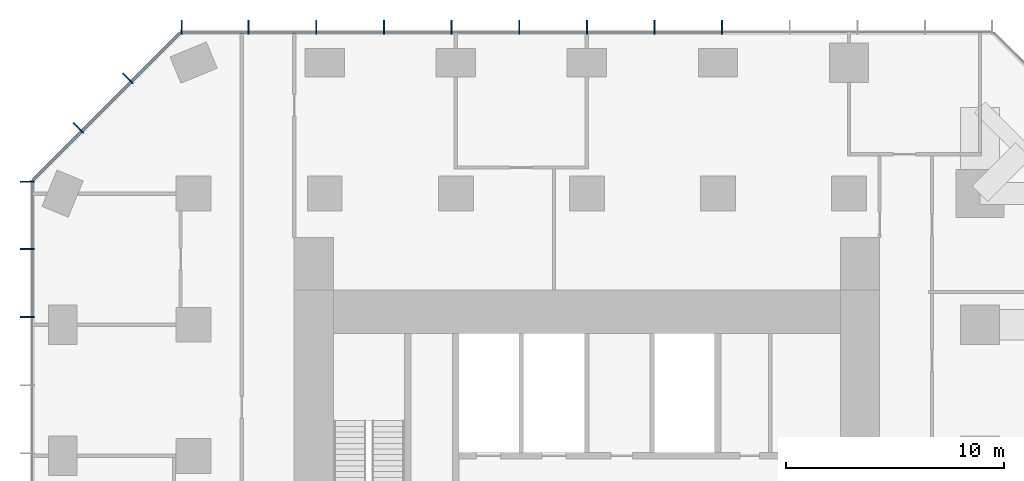
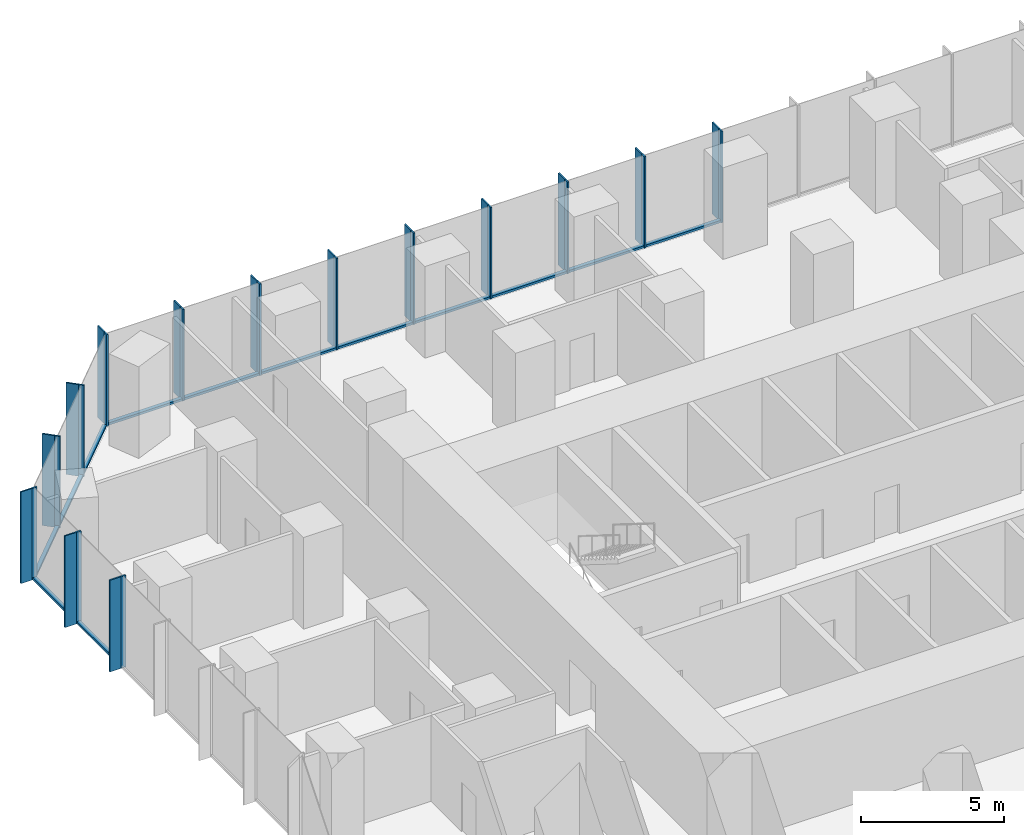
# One storey, part 5 of 11: 41 members, 3 elements without a shape of their own.
"""IFC4 building model written with IfcOpenShell, lengths in metres."""

from ifc_helpers import new_model, si_unit, direction, frame, origin, origin_2d, place, context, subcontext, project, spatial, rectangle, extrude, material, layer, layer_set, material_profile, profile_set, type_object, element, aggregate, save


model = new_model("IFC4")

# Units and contexts
model_context = context("Model", 3, precision=1e-05, world=origin(), true_north=direction((0.0, 1.0)))
body_context = subcontext(model_context, "Body", "Model", "MODEL_VIEW")
ifc_project = project(units=[si_unit("LENGTHUNIT", "METRE"), si_unit("AREAUNIT", "SQUARE_METRE"), si_unit("VOLUMEUNIT", "CUBIC_METRE"), si_unit("PLANEANGLEUNIT", "RADIAN"), si_unit("MASSUNIT", "GRAM", prefix="KILO")], contexts=[model_context])

# Site, building, storey
site_placement = place(None, origin())
site = spatial("IfcSite", under=ifc_project, at=site_placement, CompositionType="ELEMENT")
building_placement = place(site_placement, origin())
building = spatial("IfcBuilding", under=site, at=building_placement, Name="Highveld Stack Headquarters", CompositionType="ELEMENT")
storey_placement = place(building_placement, frame((0.0, 0.0, 144.5)))
storey = spatial("IfcBuildingStorey", under=building, at=storey_placement, Name="L35", CompositionType="ELEMENT", Elevation=144.5)

# Curtain wall, members
ifc_material_1 = material(Name="Aluminium bronze anodised", Category="aluminium")
ifc_layer_1 = layer(ifc_material_1, 0.199951171875)
ifc_layer_set_1 = layer_set([ifc_layer_1], Name="Aluminium bronze anodised")
curtain_wall_type_1 = type_object("IfcCurtainWallType", Name="CW1 TOWER UNITISED CURTAIN WALL", PredefinedType="NOTDEFINED", material=ifc_layer_set_1)
curtain_wall_1_placement = place(storey_placement, origin())
curtain_wall_1 = element("IfcCurtainWall", 1, at=curtain_wall_1_placement, inside=storey, type_object=curtain_wall_type_1, Name="Curtain wall CW1 L35 N", PredefinedType="NOTDEFINED")
ifc_material_2 = material(Name="Aluminium bronze anodised", Category="aluminium")
ifc_material_profile_1 = material_profile(ifc_material_2, rectangle(XDim=0.449951171875, YDim=0.06005859375, at=origin_2d()), Name="FIN 450x60")
ifc_profile_set_1 = profile_set([ifc_material_profile_1], Name="Aluminium bronze anodised")
member_type_1 = type_object("IfcMemberType", Name="CW1 BRONZE FIN 450x60", PredefinedType="USERDEFINED", material=ifc_profile_set_1)
member_1_placement = place(storey_placement, frame((12.193359375, 25.72509765625, 0.0), z_axis=(0.0, 0.0, 1.0), x_axis=(0.0, -1.0, 0.0)))
member_1 = element("IfcMember", 2, at=member_1_placement, type_object=member_type_1, Name="CW1 fin L35 5", ObjectType="FIN", PredefinedType="USERDEFINED", context=body_context, shape_type="SweptSolid", body=[
    extrude(rectangle(XDim=0.449951171875, YDim=0.06005859375, at=origin_2d()), origin(), (0.0, 0.0, 1.0), 3.89990234375),
])
member_2_placement = place(storey_placement, frame((9.0966796875, 25.72509765625, 0.0), z_axis=(0.0, 0.0, 1.0), x_axis=(0.0, -1.0, 0.0)))
member_2 = element("IfcMember", 3, at=member_2_placement, type_object=member_type_1, Name="CW1 fin L35 6", ObjectType="FIN", PredefinedType="USERDEFINED", context=body_context, shape_type="SweptSolid", body=[
    extrude(rectangle(XDim=0.449951171875, YDim=0.06005859375, at=origin_2d()), origin(), (0.0, 0.0, 1.0), 3.89990234375),
])
member_3_placement = place(storey_placement, frame((6.0, 25.72509765625, 0.0), z_axis=(0.0, 0.0, 1.0), x_axis=(0.0, -1.0, 0.0)))
member_3 = element("IfcMember", 4, at=member_3_placement, type_object=member_type_1, Name="CW1 fin L35 7", ObjectType="FIN", PredefinedType="USERDEFINED", context=body_context, shape_type="SweptSolid", body=[
    extrude(rectangle(XDim=0.449951171875, YDim=0.06005859375, at=origin_2d()), origin(), (0.0, 0.0, 1.0), 3.89990234375),
])
member_4_placement = place(storey_placement, frame((2.9033203125, 25.72509765625, 0.0), z_axis=(0.0, 0.0, 1.0), x_axis=(0.0, -1.0, 0.0)))
member_4 = element("IfcMember", 5, at=member_4_placement, type_object=member_type_1, Name="CW1 fin L35 8", ObjectType="FIN", PredefinedType="USERDEFINED", context=body_context, shape_type="SweptSolid", body=[
    extrude(rectangle(XDim=0.449951171875, YDim=0.06005859375, at=origin_2d()), origin(), (0.0, 0.0, 1.0), 3.89990234375),
])
member_5_placement = place(storey_placement, frame((-0.193359375, 25.72509765625, 0.0), z_axis=(0.0, 0.0, 1.0), x_axis=(0.0, -1.0, 0.0)))
member_5 = element("IfcMember", 6, at=member_5_placement, type_object=member_type_1, Name="CW1 fin L35 9", ObjectType="FIN", PredefinedType="USERDEFINED", context=body_context, shape_type="SweptSolid", body=[
    extrude(rectangle(XDim=0.449951171875, YDim=0.06005859375, at=origin_2d()), origin(), (0.0, 0.0, 1.0), 3.89990234375),
])
member_6_placement = place(storey_placement, frame((-3.2900390625, 25.72509765625, 0.0), z_axis=(0.0, 0.0, 1.0), x_axis=(0.0, -1.0, 0.0)))
member_6 = element("IfcMember", 7, at=member_6_placement, type_object=member_type_1, Name="CW1 fin L35 10", ObjectType="FIN", PredefinedType="USERDEFINED", context=body_context, shape_type="SweptSolid", body=[
    extrude(rectangle(XDim=0.449951171875, YDim=0.06005859375, at=origin_2d()), origin(), (0.0, 0.0, 1.0), 3.89990234375),
])
member_7_placement = place(storey_placement, frame((-6.38671875, 25.72509765625, 0.0), z_axis=(0.0, 0.0, 1.0), x_axis=(0.0, -1.0, 0.0)))
member_7 = element("IfcMember", 8, at=member_7_placement, type_object=member_type_1, Name="CW1 fin L35 11", ObjectType="FIN", PredefinedType="USERDEFINED", context=body_context, shape_type="SweptSolid", body=[
    extrude(rectangle(XDim=0.449951171875, YDim=0.06005859375, at=origin_2d()), origin(), (0.0, 0.0, 1.0), 3.89990234375),
])
member_8_placement = place(storey_placement, frame((-9.4833984375, 25.72509765625, 0.0), z_axis=(0.0, 0.0, 1.0), x_axis=(0.0, -1.0, 0.0)))
member_8 = element("IfcMember", 9, at=member_8_placement, type_object=member_type_1, Name="CW1 fin L35 12", ObjectType="FIN", PredefinedType="USERDEFINED", context=body_context, shape_type="SweptSolid", body=[
    extrude(rectangle(XDim=0.449951171875, YDim=0.06005859375, at=origin_2d()), origin(), (0.0, 0.0, 1.0), 3.89990234375),
])
member_9_placement = place(storey_placement, frame((-12.54736328125, 25.72509765625, 0.0), z_axis=(0.0, 0.0, 1.0), x_axis=(0.0, -1.0, 0.0)))
member_9 = element("IfcMember", 10, at=member_9_placement, type_object=member_type_1, Name="CW1 fin L35 13", ObjectType="FIN", PredefinedType="USERDEFINED", context=body_context, shape_type="SweptSolid", body=[
    extrude(rectangle(XDim=0.449951171875, YDim=0.06005859375, at=origin_2d()), origin(), (0.0, 0.0, 1.0), 3.89990234375),
])

curtain_wall_2_placement = place(storey_placement, origin())
curtain_wall_2 = element("IfcCurtainWall", 11, at=curtain_wall_2_placement, inside=storey, type_object=curtain_wall_type_1, Name="Curtain wall CW1 L35 W", PredefinedType="NOTDEFINED")
member_10_placement = place(storey_placement, frame((-19.72509765625, 18.54736328125, 0.0), z_axis=(0.0, 0.0, 1.0), x_axis=(1.0, 0.0, 0.0)))
member_10 = element("IfcMember", 12, at=member_10_placement, type_object=member_type_1, Name="CW1 fin L35 1", ObjectType="FIN", PredefinedType="USERDEFINED", context=body_context, shape_type="SweptSolid", body=[
    extrude(rectangle(XDim=0.449951171875, YDim=0.06005859375, at=origin_2d()), origin(), (0.0, 0.0, 1.0), 3.89990234375),
])
member_11_placement = place(storey_placement, frame((-19.72509765625, 15.4638671875, 0.0), z_axis=(0.0, 0.0, 1.0), x_axis=(1.0, 0.0, 0.0)))
member_11 = element("IfcMember", 13, at=member_11_placement, type_object=member_type_1, Name="CW1 fin L35 2", ObjectType="FIN", PredefinedType="USERDEFINED", context=body_context, shape_type="SweptSolid", body=[
    extrude(rectangle(XDim=0.449951171875, YDim=0.06005859375, at=origin_2d()), origin(), (0.0, 0.0, 1.0), 3.89990234375),
])
member_12_placement = place(storey_placement, frame((-19.72509765625, 12.347900390625, 0.0), z_axis=(0.0, 0.0, 1.0), x_axis=(1.0, 0.0, 0.0)))
member_12 = element("IfcMember", 14, at=member_12_placement, type_object=member_type_1, Name="CW1 fin L35 3", ObjectType="FIN", PredefinedType="USERDEFINED", context=body_context, shape_type="SweptSolid", body=[
    extrude(rectangle(XDim=0.449951171875, YDim=0.06005859375, at=origin_2d()), origin(), (0.0, 0.0, 1.0), 3.89990234375),
])

# Member
ifc_material_3 = material(Name="Aluminium bronze anodised", Category="aluminium")
ifc_material_profile_2 = material_profile(ifc_material_3, rectangle(XDim=0.199951171875, YDim=0.06494140625, at=origin_2d()), Name="CW1 MULLION 65x200")
ifc_profile_set_2 = profile_set([ifc_material_profile_2], Name="Aluminium bronze anodised")
member_type_2 = type_object("IfcMemberType", Name="CW1 MULLION 65x200", PredefinedType="MULLION", material=ifc_profile_set_2)
member_13_placement = place(storey_placement, frame((12.193359375, 25.39990234375, 0.0), z_axis=(0.0, 0.0, 1.0), x_axis=(0.0, -1.0, 0.0)))
member_13 = element("IfcMember", 15, at=member_13_placement, type_object=member_type_2, Name="CW1 mullion L35 5", PredefinedType="MULLION", context=body_context, shape_type="SweptSolid", body=[
    extrude(rectangle(XDim=0.199951171875, YDim=0.06494140625, at=origin_2d()), origin(), (0.0, 0.0, 1.0), 3.89990234375),
])

member_14_placement = place(storey_placement, frame((9.0966796875, 25.39990234375, 0.0), z_axis=(0.0, 0.0, 1.0), x_axis=(0.0, -1.0, 0.0)))
member_14 = element("IfcMember", 16, at=member_14_placement, type_object=member_type_2, Name="CW1 mullion L35 6", PredefinedType="MULLION", context=body_context, shape_type="SweptSolid", body=[
    extrude(rectangle(XDim=0.199951171875, YDim=0.06494140625, at=origin_2d()), origin(), (0.0, 0.0, 1.0), 3.89990234375),
])

member_15_placement = place(storey_placement, frame((6.0, 25.39990234375, 0.0), z_axis=(0.0, 0.0, 1.0), x_axis=(0.0, -1.0, 0.0)))
member_15 = element("IfcMember", 17, at=member_15_placement, type_object=member_type_2, Name="CW1 mullion L35 7", PredefinedType="MULLION", context=body_context, shape_type="SweptSolid", body=[
    extrude(rectangle(XDim=0.199951171875, YDim=0.06494140625, at=origin_2d()), origin(), (0.0, 0.0, 1.0), 3.89990234375),
])

member_16_placement = place(storey_placement, frame((2.9033203125, 25.39990234375, 0.0), z_axis=(0.0, 0.0, 1.0), x_axis=(0.0, -1.0, 0.0)))
member_16 = element("IfcMember", 18, at=member_16_placement, type_object=member_type_2, Name="CW1 mullion L35 8", PredefinedType="MULLION", context=body_context, shape_type="SweptSolid", body=[
    extrude(rectangle(XDim=0.199951171875, YDim=0.06494140625, at=origin_2d()), origin(), (0.0, 0.0, 1.0), 3.89990234375),
])

member_17_placement = place(storey_placement, frame((-0.193359375, 25.39990234375, 0.0), z_axis=(0.0, 0.0, 1.0), x_axis=(0.0, -1.0, 0.0)))
member_17 = element("IfcMember", 19, at=member_17_placement, type_object=member_type_2, Name="CW1 mullion L35 9", PredefinedType="MULLION", context=body_context, shape_type="SweptSolid", body=[
    extrude(rectangle(XDim=0.199951171875, YDim=0.06494140625, at=origin_2d()), origin(), (0.0, 0.0, 1.0), 3.89990234375),
])

member_18_placement = place(storey_placement, frame((-3.2900390625, 25.39990234375, 0.0), z_axis=(0.0, 0.0, 1.0), x_axis=(0.0, -1.0, 0.0)))
member_18 = element("IfcMember", 20, at=member_18_placement, type_object=member_type_2, Name="CW1 mullion L35 10", PredefinedType="MULLION", context=body_context, shape_type="SweptSolid", body=[
    extrude(rectangle(XDim=0.199951171875, YDim=0.06494140625, at=origin_2d()), origin(), (0.0, 0.0, 1.0), 3.89990234375),
])

member_19_placement = place(storey_placement, frame((-6.38671875, 25.39990234375, 0.0), z_axis=(0.0, 0.0, 1.0), x_axis=(0.0, -1.0, 0.0)))
member_19 = element("IfcMember", 21, at=member_19_placement, type_object=member_type_2, Name="CW1 mullion L35 11", PredefinedType="MULLION", context=body_context, shape_type="SweptSolid", body=[
    extrude(rectangle(XDim=0.199951171875, YDim=0.06494140625, at=origin_2d()), origin(), (0.0, 0.0, 1.0), 3.89990234375),
])

member_20_placement = place(storey_placement, frame((-9.4833984375, 25.39990234375, 0.0), z_axis=(0.0, 0.0, 1.0), x_axis=(0.0, -1.0, 0.0)))
member_20 = element("IfcMember", 22, at=member_20_placement, type_object=member_type_2, Name="CW1 mullion L35 12", PredefinedType="MULLION", context=body_context, shape_type="SweptSolid", body=[
    extrude(rectangle(XDim=0.199951171875, YDim=0.06494140625, at=origin_2d()), origin(), (0.0, 0.0, 1.0), 3.89990234375),
])

member_21_placement = place(storey_placement, frame((-12.54736328125, 25.39990234375, 0.0), z_axis=(0.0, 0.0, 1.0), x_axis=(0.0, -1.0, 0.0)))
member_21 = element("IfcMember", 23, at=member_21_placement, type_object=member_type_2, Name="CW1 mullion L35 13", PredefinedType="MULLION", context=body_context, shape_type="SweptSolid", body=[
    extrude(rectangle(XDim=0.199951171875, YDim=0.06494140625, at=origin_2d()), origin(), (0.0, 0.0, 1.0), 3.89990234375),
])

member_22_placement = place(storey_placement, frame((-19.39990234375, 18.54736328125, 0.0), z_axis=(0.0, 0.0, 1.0), x_axis=(1.0, 0.0, 0.0)))
member_22 = element("IfcMember", 24, at=member_22_placement, type_object=member_type_2, Name="CW1 mullion L35 1", PredefinedType="MULLION", context=body_context, shape_type="SweptSolid", body=[
    extrude(rectangle(XDim=0.199951171875, YDim=0.06494140625, at=origin_2d()), origin(), (0.0, 0.0, 1.0), 3.89990234375),
])

member_23_placement = place(storey_placement, frame((-19.39990234375, 15.4638671875, 0.0), z_axis=(0.0, 0.0, 1.0), x_axis=(1.0, 0.0, 0.0)))
member_23 = element("IfcMember", 25, at=member_23_placement, type_object=member_type_2, Name="CW1 mullion L35 2", PredefinedType="MULLION", context=body_context, shape_type="SweptSolid", body=[
    extrude(rectangle(XDim=0.199951171875, YDim=0.06494140625, at=origin_2d()), origin(), (0.0, 0.0, 1.0), 3.89990234375),
])

member_24_placement = place(storey_placement, frame((-19.39990234375, 12.347900390625, 0.0), z_axis=(0.0, 0.0, 1.0), x_axis=(1.0, 0.0, 0.0)))
member_24 = element("IfcMember", 26, at=member_24_placement, type_object=member_type_2, Name="CW1 mullion L35 3", PredefinedType="MULLION", context=body_context, shape_type="SweptSolid", body=[
    extrude(rectangle(XDim=0.199951171875, YDim=0.06494140625, at=origin_2d()), origin(), (0.0, 0.0, 1.0), 3.89990234375),
])

ifc_material_4 = material(Name="Aluminium bronze anodised", Category="aluminium")
ifc_material_profile_3 = material_profile(ifc_material_4, rectangle(XDim=0.14990234375, YDim=0.10009765625, at=origin_2d()), Name="CW1 TRANSOM 150x100")
ifc_profile_set_3 = profile_set([ifc_material_profile_3], Name="Aluminium bronze anodised")
member_type_3 = type_object("IfcMemberType", Name="CW1 STACK TRANSOM 150x100", PredefinedType="USERDEFINED", material=ifc_profile_set_3)
member_25_placement = place(storey_placement, frame((12.160888671875, 25.39990234375, 0.050048828125), z_axis=(-1.0, 0.0, 0.0), x_axis=(0.0, -1.0, 0.0)))
member_25 = element("IfcMember", 27, at=member_25_placement, type_object=member_type_3, Name="CW1 transom L35 5.1", ObjectType="TRANSOM", PredefinedType="USERDEFINED", context=body_context, shape_type="SweptSolid", body=[
    extrude(rectangle(XDim=0.14990234375, YDim=0.10009765625, at=origin_2d()), origin(), (0.0, 0.0, 1.0), 3.03173828125),
])

member_26_placement = place(storey_placement, frame((9.064208984375, 25.39990234375, 0.050048828125), z_axis=(-1.0, 0.0, 0.0), x_axis=(0.0, -1.0, 0.0)))
member_26 = element("IfcMember", 28, at=member_26_placement, type_object=member_type_3, Name="CW1 transom L35 6.1", ObjectType="TRANSOM", PredefinedType="USERDEFINED", context=body_context, shape_type="SweptSolid", body=[
    extrude(rectangle(XDim=0.14990234375, YDim=0.10009765625, at=origin_2d()), origin(), (0.0, 0.0, 1.0), 3.03173828125),
])

member_27_placement = place(storey_placement, frame((5.967529296875, 25.39990234375, 0.050048828125), z_axis=(-1.0, 0.0, 0.0), x_axis=(0.0, -1.0, 0.0)))
member_27 = element("IfcMember", 29, at=member_27_placement, type_object=member_type_3, Name="CW1 transom L35 7.1", ObjectType="TRANSOM", PredefinedType="USERDEFINED", context=body_context, shape_type="SweptSolid", body=[
    extrude(rectangle(XDim=0.14990234375, YDim=0.10009765625, at=origin_2d()), origin(), (0.0, 0.0, 1.0), 3.03173828125),
])

member_28_placement = place(storey_placement, frame((2.870849609375, 25.39990234375, 0.050048828125), z_axis=(-1.0, 0.0, 0.0), x_axis=(0.0, -1.0, 0.0)))
member_28 = element("IfcMember", 30, at=member_28_placement, type_object=member_type_3, Name="CW1 transom L35 8.1", ObjectType="TRANSOM", PredefinedType="USERDEFINED", context=body_context, shape_type="SweptSolid", body=[
    extrude(rectangle(XDim=0.14990234375, YDim=0.10009765625, at=origin_2d()), origin(), (0.0, 0.0, 1.0), 3.03173828125),
])

member_29_placement = place(storey_placement, frame((-0.225830078125, 25.39990234375, 0.050048828125), z_axis=(-1.0, 0.0, 0.0), x_axis=(0.0, -1.0, 0.0)))
member_29 = element("IfcMember", 31, at=member_29_placement, type_object=member_type_3, Name="CW1 transom L35 9.1", ObjectType="TRANSOM", PredefinedType="USERDEFINED", context=body_context, shape_type="SweptSolid", body=[
    extrude(rectangle(XDim=0.14990234375, YDim=0.10009765625, at=origin_2d()), origin(), (0.0, 0.0, 1.0), 3.03173828125),
])

member_30_placement = place(storey_placement, frame((-3.322509765625, 25.39990234375, 0.050048828125), z_axis=(-1.0, 0.0, 0.0), x_axis=(0.0, -1.0, 0.0)))
member_30 = element("IfcMember", 32, at=member_30_placement, type_object=member_type_3, Name="CW1 transom L35 10.1", ObjectType="TRANSOM", PredefinedType="USERDEFINED", context=body_context, shape_type="SweptSolid", body=[
    extrude(rectangle(XDim=0.14990234375, YDim=0.10009765625, at=origin_2d()), origin(), (0.0, 0.0, 1.0), 3.031494140625),
])

member_31_placement = place(storey_placement, frame((-6.419189453125, 25.39990234375, 0.050048828125), z_axis=(-1.0, 0.0, 0.0), x_axis=(0.0, -1.0, 0.0)))
member_31 = element("IfcMember", 33, at=member_31_placement, type_object=member_type_3, Name="CW1 transom L35 11.1", ObjectType="TRANSOM", PredefinedType="USERDEFINED", context=body_context, shape_type="SweptSolid", body=[
    extrude(rectangle(XDim=0.14990234375, YDim=0.10009765625, at=origin_2d()), origin(), (0.0, 0.0, 1.0), 3.031494140625),
])

member_32_placement = place(storey_placement, frame((-9.515869140625, 25.39990234375, 0.050048828125), z_axis=(-1.0, 0.0, 0.0), x_axis=(0.0, -1.0, 0.0)))
member_32 = element("IfcMember", 34, at=member_32_placement, type_object=member_type_3, Name="CW1 transom L35 12.1", ObjectType="TRANSOM", PredefinedType="USERDEFINED", context=body_context, shape_type="SweptSolid", body=[
    extrude(rectangle(XDim=0.14990234375, YDim=0.10009765625, at=origin_2d()), origin(), (0.0, 0.0, 1.0), 2.9990234375),
])

aggregate(curtain_wall_1, [member_13, member_1, member_14, member_2, member_15, member_3, member_16, member_4, member_17, member_5, member_18, member_6, member_19, member_7, member_20, member_8, member_21, member_9, member_25, member_26, member_27, member_28, member_29, member_30, member_31, member_32])

member_33_placement = place(storey_placement, frame((-19.39990234375, 18.514892578125, 0.050048828125), z_axis=(0.0, -1.0, 0.0), x_axis=(1.0, 0.0, 0.0)))
member_33 = element("IfcMember", 35, at=member_33_placement, type_object=member_type_3, Name="CW1 transom L35 1.1", ObjectType="TRANSOM", PredefinedType="USERDEFINED", context=body_context, shape_type="SweptSolid", body=[
    extrude(rectangle(XDim=0.14990234375, YDim=0.10009765625, at=origin_2d()), origin(), (0.0, 0.0, 1.0), 3.0185546875),
])

member_34_placement = place(storey_placement, frame((-19.39990234375, 15.431396484375, 0.050048828125), z_axis=(0.0, -1.0, 0.0), x_axis=(1.0, 0.0, 0.0)))
member_34 = element("IfcMember", 36, at=member_34_placement, type_object=member_type_3, Name="CW1 transom L35 2.1", ObjectType="TRANSOM", PredefinedType="USERDEFINED", context=body_context, shape_type="SweptSolid", body=[
    extrude(rectangle(XDim=0.14990234375, YDim=0.10009765625, at=origin_2d()), origin(), (0.0, 0.0, 1.0), 3.051025390625),
])

aggregate(curtain_wall_2, [member_22, member_10, member_23, member_11, member_24, member_12, member_33, member_34])

# Curtain wall, members
ifc_material_5 = material(Name="Aluminium bronze anodised", Category="aluminium")
ifc_layer_2 = layer(ifc_material_5, 0.199951171875)
ifc_layer_set_2 = layer_set([ifc_layer_2], Name="Aluminium bronze anodised")
curtain_wall_type_2 = type_object("IfcCurtainWallType", Name="CW2 TOWER CHAMFER UNITISED CURTAIN WALL", PredefinedType="NOTDEFINED", material=ifc_layer_set_2)
curtain_wall_3_placement = place(storey_placement, origin())
curtain_wall_3 = element("IfcCurtainWall", 37, at=curtain_wall_3_placement, inside=storey, type_object=curtain_wall_type_2, Name="Curtain wall CW2 L35 NW", PredefinedType="NOTDEFINED")
ifc_material_6 = material(Name="Aluminium bronze anodised", Category="aluminium")
ifc_material_profile_4 = material_profile(ifc_material_6, rectangle(XDim=0.449951171875, YDim=0.06005859375, at=origin_2d()), Name="FIN 450x60")
ifc_profile_set_4 = profile_set([ifc_material_profile_4], Name="Aluminium bronze anodised")
member_type_4 = type_object("IfcMemberType", Name="CW2 BRONZE FIN 450x60", PredefinedType="USERDEFINED", material=ifc_profile_set_4)
member_35_placement = place(storey_placement, frame((-15.0830078125, 23.3564453125, 0.0), z_axis=(0.0, 0.0, 1.0), x_axis=(0.707106781187, -0.707106781187, 0.0)))
member_35 = element("IfcMember", 38, at=member_35_placement, type_object=member_type_4, Name="CW2 fin L35 1", ObjectType="FIN", PredefinedType="USERDEFINED", context=body_context, shape_type="SweptSolid", body=[
    extrude(rectangle(XDim=0.449951171875, YDim=0.06005859375, at=origin_2d()), origin(), (0.0, 0.0, 1.0), 3.89990234375),
])
member_36_placement = place(storey_placement, frame((-17.3564453125, 21.0830078125, 0.0), z_axis=(0.0, 0.0, 1.0), x_axis=(0.707106781187, -0.707106781187, 0.0)))
member_36 = element("IfcMember", 39, at=member_36_placement, type_object=member_type_4, Name="CW2 fin L35 2", ObjectType="FIN", PredefinedType="USERDEFINED", context=body_context, shape_type="SweptSolid", body=[
    extrude(rectangle(XDim=0.449951171875, YDim=0.06005859375, at=origin_2d()), origin(), (0.0, 0.0, 1.0), 3.89990234375),
])
ifc_material_7 = material(Name="Aluminium bronze anodised", Category="aluminium")
ifc_material_profile_5 = material_profile(ifc_material_7, rectangle(XDim=0.199951171875, YDim=0.06494140625, at=origin_2d()), Name="CW2 MULLION 65x200")
ifc_profile_set_5 = profile_set([ifc_material_profile_5], Name="Aluminium bronze anodised")
member_type_5 = type_object("IfcMemberType", Name="CW2 MULLION 65x200", PredefinedType="MULLION", material=ifc_profile_set_5)
member_37_placement = place(storey_placement, frame((-14.853271484375, 23.126708984375, 0.0), z_axis=(0.0, 0.0, 1.0), x_axis=(0.707106781187, -0.707106781187, 0.0)))
member_37 = element("IfcMember", 40, at=member_37_placement, type_object=member_type_5, Name="CW2 mullion L35 1", PredefinedType="MULLION", context=body_context, shape_type="SweptSolid", body=[
    extrude(rectangle(XDim=0.199951171875, YDim=0.06494140625, at=origin_2d()), origin(), (0.0, 0.0, 1.0), 3.89990234375),
])
member_38_placement = place(storey_placement, frame((-17.126708984375, 20.853271484375, 0.0), z_axis=(0.0, 0.0, 1.0), x_axis=(0.707106781187, -0.707106781187, 0.0)))
member_38 = element("IfcMember", 41, at=member_38_placement, type_object=member_type_5, Name="CW2 mullion L35 2", PredefinedType="MULLION", context=body_context, shape_type="SweptSolid", body=[
    extrude(rectangle(XDim=0.199951171875, YDim=0.06494140625, at=origin_2d()), origin(), (0.0, 0.0, 1.0), 3.89990234375),
])
ifc_material_8 = material(Name="Aluminium bronze anodised", Category="aluminium")
ifc_material_profile_6 = material_profile(ifc_material_8, rectangle(XDim=0.14990234375, YDim=0.10009765625, at=origin_2d()), Name="CW2 TRANSOM 150x100")
ifc_profile_set_6 = profile_set([ifc_material_profile_6], Name="Aluminium bronze anodised")
member_type_6 = type_object("IfcMemberType", Name="CW2 STACK TRANSOM 150x100", PredefinedType="USERDEFINED", material=ifc_profile_set_6)
member_39_placement = place(storey_placement, frame((-12.650634765625, 25.329345703125, 0.050048828125), z_axis=(-0.707106781187, -0.707106781187, 0.0), x_axis=(0.707106781187, -0.707106781187, 0.0)))
member_39 = element("IfcMember", 42, at=member_39_placement, type_object=member_type_6, Name="CW2 transom L35 1.1", ObjectType="TRANSOM", PredefinedType="USERDEFINED", context=body_context, shape_type="SweptSolid", body=[
    extrude(rectangle(XDim=0.14990234375, YDim=0.10009765625, at=origin_2d()), origin(), (0.0, 0.0, 1.0), 3.08251953125),
])
member_40_placement = place(storey_placement, frame((-14.876220703125, 23.103759765625, 0.050048828125), z_axis=(-0.707106781187, -0.707106781187, 0.0), x_axis=(0.707106781187, -0.707106781187, 0.0)))
member_40 = element("IfcMember", 43, at=member_40_placement, type_object=member_type_6, Name="CW2 transom L35 2.1", ObjectType="TRANSOM", PredefinedType="USERDEFINED", context=body_context, shape_type="SweptSolid", body=[
    extrude(rectangle(XDim=0.14990234375, YDim=0.10009765625, at=origin_2d()), origin(), (0.0, 0.0, 1.0), 3.150146484375),
])
member_41_placement = place(storey_placement, frame((-17.149658203125, 20.830322265625, 0.050048828125), z_axis=(-0.707106781187, -0.707106781187, 0.0), x_axis=(0.707106781187, -0.707106781187, 0.0)))
member_41 = element("IfcMember", 44, at=member_41_placement, type_object=member_type_6, Name="CW2 transom L35 3.1", ObjectType="TRANSOM", PredefinedType="USERDEFINED", context=body_context, shape_type="SweptSolid", body=[
    extrude(rectangle(XDim=0.14990234375, YDim=0.10009765625, at=origin_2d()), origin(), (0.0, 0.0, 1.0), 3.08251953125),
])
aggregate(curtain_wall_3, [member_37, member_35, member_38, member_36, member_39, member_40, member_41])

save(model, "model.ifc")
